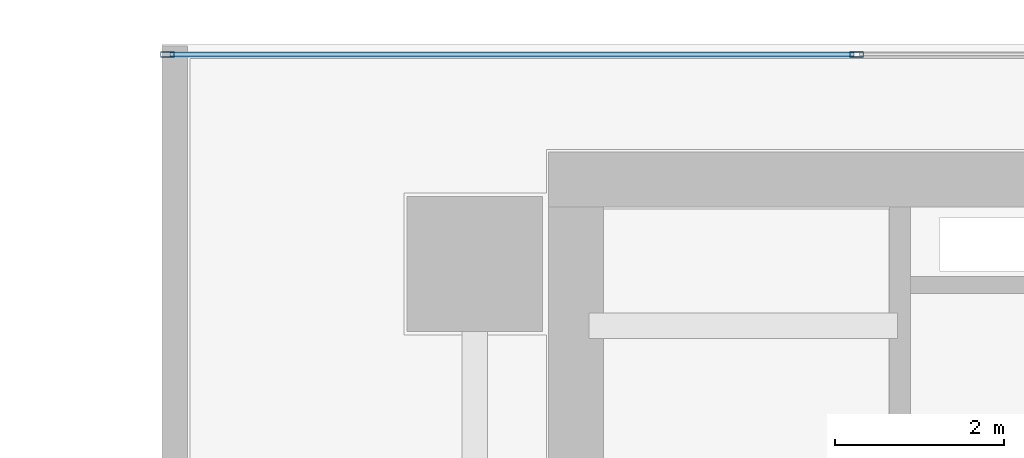
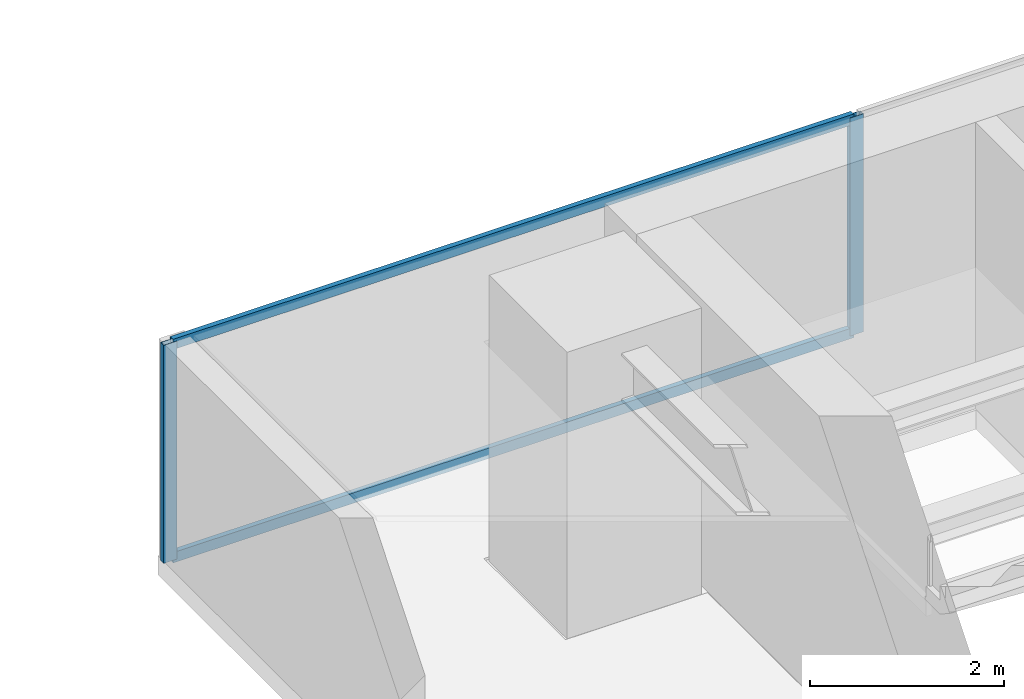
# One storey, part 20 of 36: 4 members, 1 element without a shape of its own.
"""IFC4 building model written with IfcOpenShell, lengths in metres."""

from ifc_helpers import new_model, si_unit, direction, frame, origin, origin_2d, place, context, subcontext, project, spatial, hollow_rectangle, extrude, source, transform, mapped, material, layer, layer_set, material_profile, profile_set, type_object, element, aggregate, save


model = new_model("IFC4")

# Units and contexts
model_context = context("Model", 3, precision=1e-05, world=origin(), true_north=direction((0.0, 1.0)))
body_context = subcontext(model_context, "Body", "Model", "MODEL_VIEW")
ifc_project = project(units=[si_unit("LENGTHUNIT", "METRE"), si_unit("AREAUNIT", "SQUARE_METRE"), si_unit("VOLUMEUNIT", "CUBIC_METRE"), si_unit("PLANEANGLEUNIT", "RADIAN"), si_unit("MASSUNIT", "GRAM", prefix="KILO")], contexts=[model_context])

# Site, building, storey
site_placement = place(None, origin())
site = spatial("IfcSite", under=ifc_project, at=site_placement, CompositionType="ELEMENT")
building_placement = place(site_placement, origin())
building = spatial("IfcBuilding", under=site, at=building_placement, Name="Sumidabori Civic Tower", CompositionType="ELEMENT")
storey_placement = place(building_placement, frame((0.0, 0.0, 113.60009765625)))
storey = spatial("IfcBuildingStorey", under=building, at=storey_placement, Name="L29", CompositionType="ELEMENT", Elevation=113.60009765625)

# Curtain wall, members
ifc_material = material(Name="Anodised Bronze Aluminium AW-6063-T6", Category="aluminium")
ifc_layer = layer(ifc_material, 0.179931640625, Name="Anodised Bronze Aluminium AW-6063-T6")
ifc_layer_set = layer_set([ifc_layer], Name="Anodised Bronze Aluminium AW-6063-T6")
curtain_wall_type = type_object("IfcCurtainWallType", Name="CW-SYS-3", PredefinedType="NOTDEFINED", material=ifc_layer_set)
curtain_wall_placement = place(storey_placement, origin())
curtain_wall = element("IfcCurtainWall", 1, at=curtain_wall_placement, inside=storey, type_object=curtain_wall_type, Name="Curtain Wall CW:L29:R07", PredefinedType="NOTDEFINED")
ifc_material_profile_1 = material_profile(ifc_material, hollow_rectangle(XDim=0.06494140625, YDim=0.159912109375, WallThickness=0.0048828125, at=origin_2d()), Name="ALU MULLION 160x65")
ifc_profile_set_1 = profile_set([ifc_material_profile_1], Name="Anodised Bronze Aluminium AW-6063-T6")
member_type_1 = type_object("IfcMemberType", Name="CW-MUL-160", PredefinedType="MULLION", material=ifc_profile_set_1)
shared_shape_1 = source(origin(), body_context, "Body", "SweptSolid", [
    extrude(hollow_rectangle(XDim=0.06494140625, YDim=0.159912109375, WallThickness=0.0048828125, at=origin_2d()), origin(), (0.0, 0.0, 1.0), 2.739990234375),
])
member_1_placement = place(storey_placement, frame((-12.281982421875, 25.280029296875, 0.0), z_axis=(0.0, 0.0, 1.0), x_axis=(0.0, -1.0, 0.0)))
member_1 = element("IfcMember", 2, at=member_1_placement, type_object=member_type_1, Name="CW-3 mullion 5", PredefinedType="MULLION", context=body_context, shape_type="MappedRepresentation", body=[
    mapped(shared_shape_1, transform((0.0, 0.0, 0.0), x_axis=(1.0, 0.0, 0.0), y_axis=(0.0, 1.0, 0.0), z_axis=(0.0, 0.0, 1.0), scale=1.0)),
])
member_2_placement = place(storey_placement, frame((-20.4375, 25.280029296875, 0.0), z_axis=(0.0, 0.0, 1.0), x_axis=(0.0, -1.0, 0.0)))
member_2 = element("IfcMember", 3, at=member_2_placement, type_object=member_type_1, Name="CW-3 mullion 6", PredefinedType="MULLION", context=body_context, shape_type="MappedRepresentation", body=[
    mapped(shared_shape_1, transform((0.0, 0.0, 0.0), x_axis=(1.0, 0.0, 0.0), y_axis=(0.0, 1.0, 0.0), z_axis=(0.0, 0.0, 1.0), scale=1.0)),
])
ifc_material_profile_2 = material_profile(ifc_material, hollow_rectangle(XDim=0.06005859375, YDim=0.1298828125, WallThickness=0.0048828125, at=origin_2d()), Name="ALU TRANSOM 130x60")
ifc_profile_set_2 = profile_set([ifc_material_profile_2], Name="Anodised Bronze Aluminium AW-6063-T6")
member_type_2 = type_object("IfcMemberType", Name="CW-TRN-130", PredefinedType="USERDEFINED", material=ifc_profile_set_2)
shared_shape_2 = source(origin(), body_context, "Body", "SweptSolid", [
    extrude(hollow_rectangle(XDim=0.06005859375, YDim=0.1298828125, WallThickness=0.0048828125, at=origin_2d()), origin(), (0.0, 0.0, 1.0), 8.090576171875),
])
member_3_placement = place(storey_placement, frame((-12.314453125, 25.280029296875, 0.02978515625), z_axis=(-1.0, 0.0, 0.0), x_axis=(0.0, -1.0, 0.0)))
member_3 = element("IfcMember", 4, at=member_3_placement, type_object=member_type_2, Name="CW-3 transom 5.1", ObjectType="TRANSOM", PredefinedType="USERDEFINED", context=body_context, shape_type="MappedRepresentation", body=[
    mapped(shared_shape_2, transform((0.0, 0.0, 0.0), x_axis=(1.0, 0.0, 0.0), y_axis=(0.0, 1.0, 0.0), z_axis=(0.0, 0.0, 1.0), scale=1.0)),
])
member_4_placement = place(storey_placement, frame((-12.314453125, 25.280029296875, 2.7099609375), z_axis=(-1.0, 0.0, 0.0), x_axis=(0.0, -1.0, 0.0)))
member_4 = element("IfcMember", 5, at=member_4_placement, type_object=member_type_2, Name="CW-3 transom 5.2", ObjectType="TRANSOM", PredefinedType="USERDEFINED", context=body_context, shape_type="MappedRepresentation", body=[
    mapped(shared_shape_2, transform((0.0, 0.0, 0.0), x_axis=(1.0, 0.0, 0.0), y_axis=(0.0, 1.0, 0.0), z_axis=(0.0, 0.0, 1.0), scale=1.0)),
])
aggregate(curtain_wall, [member_1, member_2, member_3, member_4])

save(model, "model.ifc")
